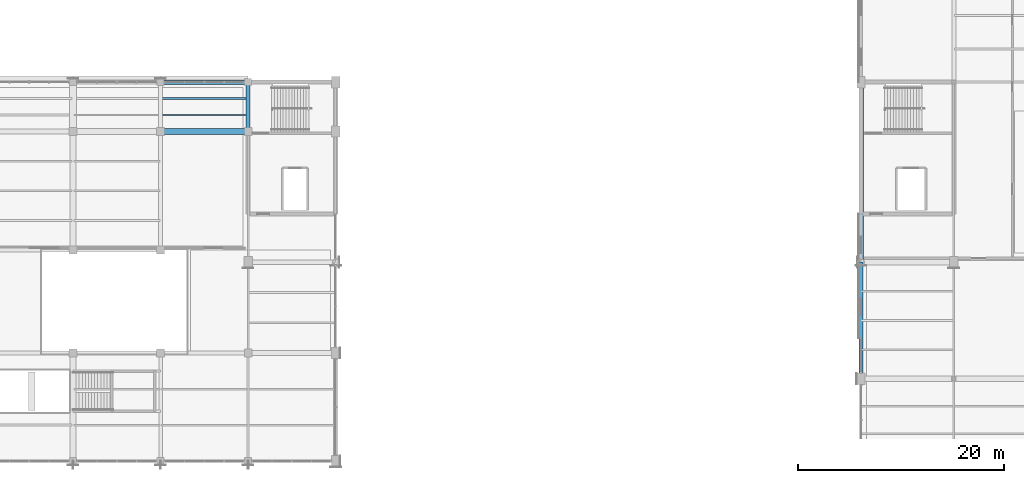
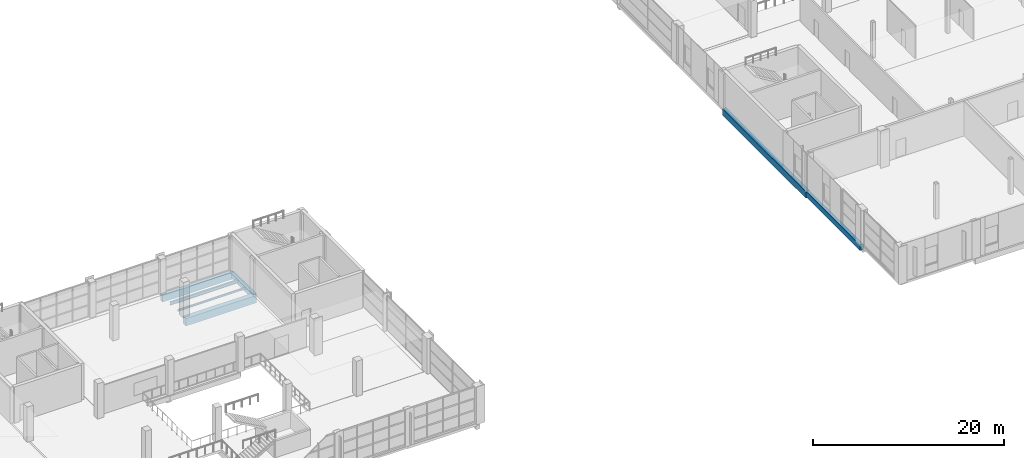
# One storey, part 30 of 112: 7 beams.
"""IFC4 building model written with IfcOpenShell, lengths in metres."""

from ifc_helpers import new_model, si_unit, direction, frame, origin, origin_2d, place, context, subcontext, project, spatial, rectangle, i_section, extrude, material, material_profile, profile_set, type_object, element, save


model = new_model("IFC4")

# Units and contexts
model_context = context("Model", 3, precision=1e-05, world=origin(), true_north=direction((0.0, 1.0)))
body_context = subcontext(model_context, "Body", "Model", "MODEL_VIEW")
ifc_project = project(units=[si_unit("LENGTHUNIT", "METRE"), si_unit("AREAUNIT", "SQUARE_METRE"), si_unit("VOLUMEUNIT", "CUBIC_METRE"), si_unit("PLANEANGLEUNIT", "RADIAN"), si_unit("MASSUNIT", "GRAM", prefix="KILO")], contexts=[model_context])

# Site, building, storey
site_placement = place(None, origin())
site = spatial("IfcSite", under=ifc_project, at=site_placement, CompositionType="ELEMENT")
building_placement = place(site_placement, origin())
building = spatial("IfcBuilding", under=site, at=building_placement, Name="Solvikara Media Centre", CompositionType="ELEMENT")
storey_placement = place(building_placement, frame((0.0, 0.0, 5.39990234375)))
storey = spatial("IfcBuildingStorey", under=building, at=storey_placement, Name="L01", CompositionType="ELEMENT", Elevation=5.39990234375)

# Beams
ifc_material_1 = material(Name="Concrete fc' 45 MPa (C45/55)", Category="concrete")
ifc_material_profile_1 = material_profile(ifc_material_1, rectangle(XDim=0.60009765625, YDim=0.949951171875, at=origin_2d()), Name="RC 600x950")
ifc_profile_set_1 = profile_set([ifc_material_profile_1], Name="Concrete fc' 45 MPa (C45/55)")
beam_type_1 = type_object("IfcBeamType", Name="BM-11", PredefinedType="BEAM", material=ifc_profile_set_1)
beam_1_placement = place(storey_placement, frame((59.5, 32.0, -0.73486328125), z_axis=(1.0, 0.0, 0.0), x_axis=(0.0, 1.0, 0.0)))
element("IfcBeam", 1, at=beam_1_placement, inside=storey, type_object=beam_type_1, Name="B-L01-X0479", PredefinedType="BEAM", context=body_context, shape_type="SweptSolid", body=[
    extrude(rectangle(XDim=0.60009765625, YDim=0.949951171875, at=origin_2d()), origin(), (0.0, 0.0, 1.0), 8.5),
])
ifc_material_2 = material(Name="Concrete fc' 35 MPa (C35/45)", Category="concrete")
ifc_material_profile_2 = material_profile(ifc_material_2, rectangle(XDim=0.39990234375, YDim=0.699951171875, at=origin_2d()), Name="RC 400x700")
ifc_profile_set_2 = profile_set([ifc_material_profile_2], Name="Concrete fc' 35 MPa (C35/45)")
beam_type_2 = type_object("IfcBeamType", Name="BM-13", PredefinedType="SPANDREL", material=ifc_profile_set_2)
beam_2_placement = place(storey_placement, frame((68.0, 32.0, -0.60986328125), z_axis=(0.0, 1.0, 0.0), x_axis=(-1.0, 0.0, 0.0)))
element("IfcBeam", 2, at=beam_2_placement, inside=storey, type_object=beam_type_2, Name="B-L01-Y0595", PredefinedType="SPANDREL", context=body_context, shape_type="SweptSolid", body=[
    extrude(rectangle(XDim=0.39990234375, YDim=0.699951171875, at=origin_2d()), origin(), (0.0, 0.0, 1.0), 4.800048828125),
])
beam_3_placement = place(storey_placement, frame((127.5, 8.0, -0.58984375), z_axis=(0.0, 1.0, 0.0), x_axis=(-1.0, 0.0, 0.0)))
element("IfcBeam", 3, at=beam_3_placement, inside=storey, type_object=beam_type_2, Name="B-L01-Y0601", PredefinedType="SPANDREL", context=body_context, shape_type="SweptSolid", body=[
    extrude(rectangle(XDim=0.39990234375, YDim=0.699951171875, at=origin_2d()), origin(), (0.0, 0.0, 1.0), 11.323974609375),
])
ifc_material_profile_3 = material_profile(ifc_material_2, rectangle(XDim=0.449951171875, YDim=0.85009765625, at=origin_2d()), Name="RC 450x850")
ifc_profile_set_3 = profile_set([ifc_material_profile_3], Name="Concrete fc' 35 MPa (C35/45)")
beam_type_3 = type_object("IfcBeamType", Name="BM-14", PredefinedType="SPANDREL", material=ifc_profile_set_3)
beam_4_placement = place(storey_placement, frame((59.5, 36.800048828125, -0.684814453125), z_axis=(1.0, 0.0, 0.0), x_axis=(0.0, 1.0, 0.0)))
element("IfcBeam", 4, at=beam_4_placement, inside=storey, type_object=beam_type_3, Name="B-L01-X0482", PredefinedType="SPANDREL", context=body_context, shape_type="SweptSolid", body=[
    extrude(rectangle(XDim=0.449951171875, YDim=0.85009765625, at=origin_2d()), origin(), (0.0, 0.0, 1.0), 8.5),
])
beam_5_placement = place(storey_placement, frame((127.5, 19.323974609375, -0.664794921875), z_axis=(0.0, 1.0, 0.0), x_axis=(-1.0, 0.0, 0.0)))
element("IfcBeam", 5, at=beam_5_placement, inside=storey, type_object=beam_type_3, Name="B-L01-Y0602", PredefinedType="SPANDREL", context=body_context, shape_type="SweptSolid", body=[
    extrude(rectangle(XDim=0.449951171875, YDim=0.85009765625, at=origin_2d()), origin(), (0.0, 0.0, 1.0), 17.47607421875),
])
ifc_material_3 = material(Name="Steel S355JR", Category="steel")
ifc_material_profile_4 = material_profile(ifc_material_3, i_section(OverallWidth=0.199951171875, OverallDepth=0.39990234375, WebThickness=0.008056640625, FlangeThickness=0.012939453125, at=origin_2d()), Name="WF 400x200x8x13")
ifc_profile_set_4 = profile_set([ifc_material_profile_4], Name="Steel S355JR")
beam_type_4 = type_object("IfcBeamType", Name="BM-21", PredefinedType="JOIST", material=ifc_profile_set_4)
beam_6_placement = place(storey_placement, frame((59.577880859375, 35.199951171875, -0.4619140625), z_axis=(1.0, 0.0, 0.0), x_axis=(0.0, 1.0, 0.0)))
element("IfcBeam", 6, at=beam_6_placement, inside=storey, type_object=beam_type_4, Name="J-L01-0753", PredefinedType="JOIST", context=body_context, shape_type="SweptSolid", body=[
    extrude(i_section(OverallWidth=0.199951171875, OverallDepth=0.39990234375, WebThickness=0.008056640625, FlangeThickness=0.012939453125, at=origin_2d()), origin(), (0.0, 0.0, 1.0), 8.34423828125),
])
ifc_material_profile_5 = material_profile(ifc_material_3, i_section(OverallWidth=0.1240234375, OverallDepth=0.248046875, WebThickness=0.0048828125, FlangeThickness=0.008056640625, at=origin_2d()), Name="WF 248x124x5x8")
ifc_profile_set_5 = profile_set([ifc_material_profile_5], Name="Steel S355JR")
beam_type_5 = type_object("IfcBeamType", Name="BM-40", PredefinedType="JOIST", material=ifc_profile_set_5)
beam_7_placement = place(storey_placement, frame((59.577880859375, 33.60009765625, -0.385986328125), z_axis=(1.0, 0.0, 0.0), x_axis=(0.0, 1.0, 0.0)))
element("IfcBeam", 7, at=beam_7_placement, inside=storey, type_object=beam_type_5, Name="J-L01-0752", PredefinedType="JOIST", context=body_context, shape_type="SweptSolid", body=[
    extrude(i_section(OverallWidth=0.1240234375, OverallDepth=0.248046875, WebThickness=0.0048828125, FlangeThickness=0.008056640625, at=origin_2d()), origin(), (0.0, 0.0, 1.0), 8.34423828125),
])

save(model, "model.ifc")
